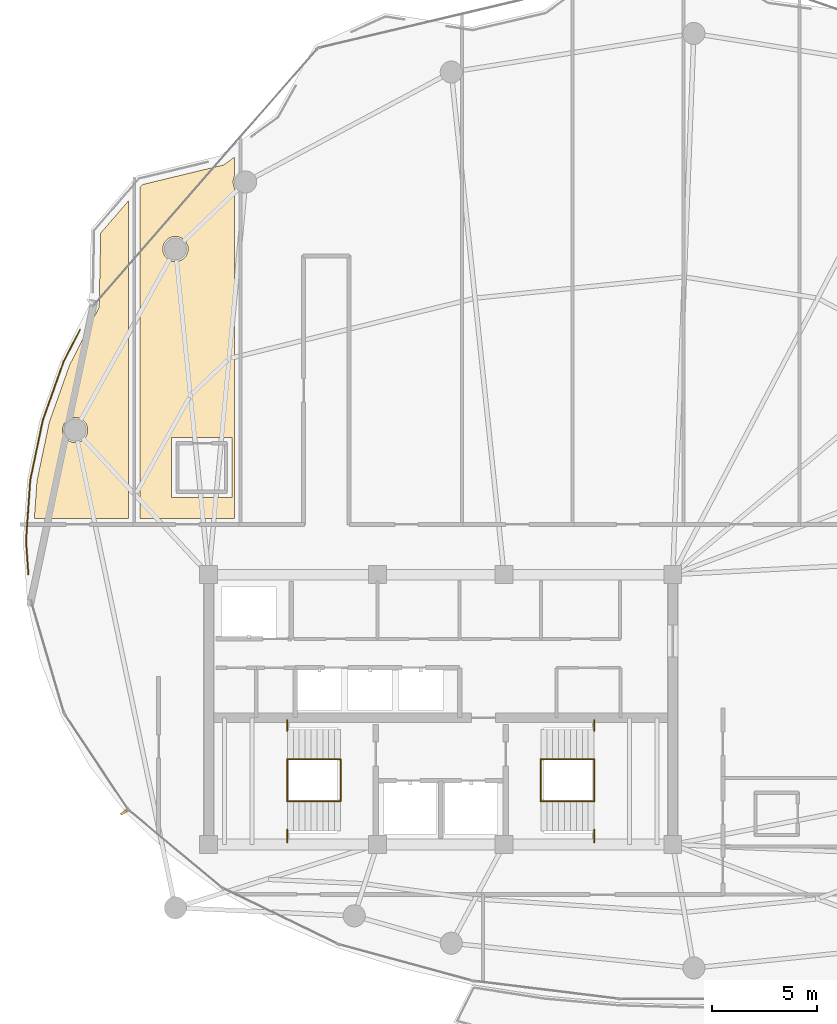
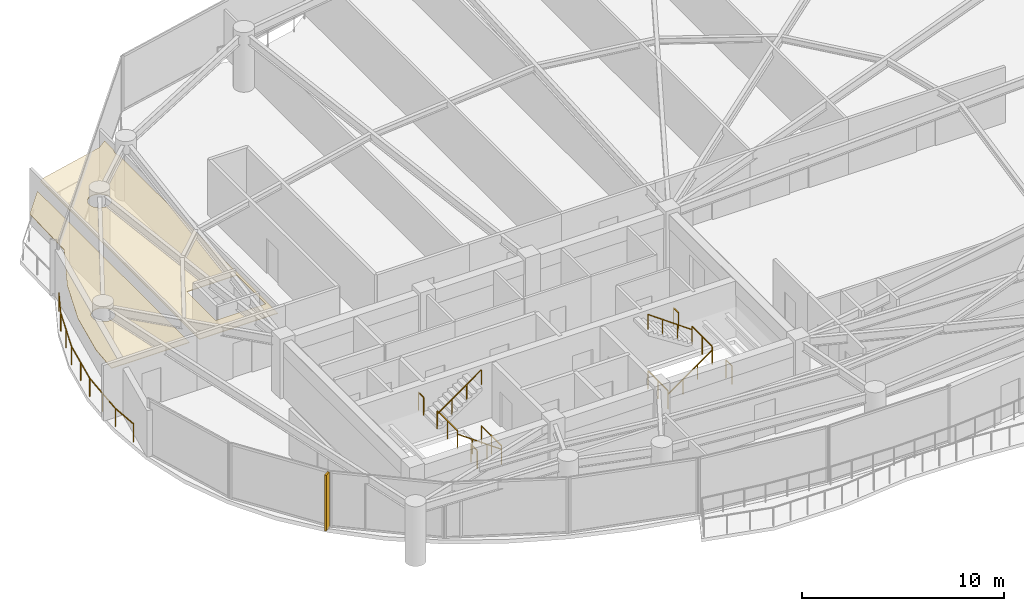
# One storey, part 27 of 29: 13 railings, 2 coverings, 1 shading device.
"""IFC4 building model written with IfcOpenShell, lengths in metres."""

from ifc_helpers import new_model, si_unit, direction, frame, origin, origin_2d, place, context, subcontext, project, spatial, polyline, rectangle, outline, extrude, material, layer, layer_set, type_object, element, save


model = new_model("IFC4")

# Units and contexts
model_context = context("Model", 3, precision=1e-05, world=origin(), true_north=direction((0.0, 1.0)))
body_context = subcontext(model_context, "Body", "Model", "MODEL_VIEW")
ifc_project = project(units=[si_unit("LENGTHUNIT", "METRE"), si_unit("AREAUNIT", "SQUARE_METRE"), si_unit("VOLUMEUNIT", "CUBIC_METRE"), si_unit("PLANEANGLEUNIT", "RADIAN"), si_unit("MASSUNIT", "GRAM", prefix="KILO")], contexts=[model_context])

# Site, building, storey
site_placement = place(None, origin())
site = spatial("IfcSite", under=ifc_project, at=site_placement, CompositionType="ELEMENT")
building_placement = place(site_placement, origin())
building = spatial("IfcBuilding", under=site, at=building_placement, Name="Kazevale Care Tower and Concert Hall", CompositionType="ELEMENT")
storey_placement = place(building_placement, frame((0.0, 0.0, 213.60009765625)))
storey = spatial("IfcBuildingStorey", under=building, at=storey_placement, Name="L56", CompositionType="ELEMENT", Elevation=213.60009765625)

# Coverings
ifc_material_1 = material(Name="Acoustic Plaster and Hinoki Wood", Category="wood")
ifc_layer = layer(ifc_material_1, 0.0400390625)
ifc_layer_set = layer_set([ifc_layer], Name="Acoustic Plaster and Hinoki Wood")
covering_type = type_object("IfcCoveringType", Name="Acoustic Perforated Wood-Gypsum Ceiling", PredefinedType="CEILING", material=ifc_layer_set)
covering_1_placement = place(storey_placement, frame((0.0, 0.0, 2.7099609375)))
element("IfcCovering", 1, at=covering_1_placement, inside=storey, type_object=covering_type, Name="clg:L56:1", PredefinedType="CEILING", context=body_context, shape_type="SweptSolid", body=[
    extrude(outline(polyline([(15.407958984375, 46.339111328125), (16.806884765625, 49.0791015625), (16.8798828125, 52.589111328125), (18.18994140625, 54.10693359375), (18.18994140625, 39.054931640625), (13.73388671875, 39.054931640625), (13.85693359375, 40.824951171875), (14.44091796875, 43.615966796875), (15.407958984375, 46.339111328125)]), holes=[polyline([(16.262939453125, 43.367919921875), (16.173095703125, 43.5859375), (16.006103515625, 43.7529296875), (15.7880859375, 43.843017578125), (15.552001953125, 43.843017578125), (15.333984375, 43.7529296875), (15.1669921875, 43.5859375), (15.076904296875, 43.367919921875), (15.076904296875, 43.132080078125), (15.1669921875, 42.9140625), (15.333984375, 42.7470703125), (15.552001953125, 42.656982421875), (15.7880859375, 42.656982421875), (16.006103515625, 42.7470703125), (16.173095703125, 42.9140625), (16.262939453125, 43.132080078125), (16.262939453125, 43.367919921875)])]), origin(), (0.0, 0.0, 1.0), 0.0400390625),
])
covering_2_placement = place(storey_placement, frame((0.0, 0.0, 2.7099609375)))
element("IfcCovering", 2, at=covering_2_placement, inside=storey, type_object=covering_type, Name="clg:L56:2", PredefinedType="CEILING", context=body_context, shape_type="SweptSolid", body=[
    extrude(outline(polyline([(18.75, 54.756103515625), (18.864990234375, 54.888916015625), (22.7099609375, 55.818115234375), (23.219970703125, 56.18701171875), (23.219970703125, 55.2958984375), (23.14501953125, 55.010009765625), (23.219970703125, 54.72412109375), (23.219970703125, 39.054931640625), (18.75, 39.054931640625), (18.75, 54.756103515625)]), holes=[polyline([(20.239990234375, 40.044921875), (23.10009765625, 40.044921875), (23.10009765625, 42.905029296875), (20.239990234375, 42.905029296875), (20.239990234375, 40.044921875)]), polyline([(21.012939453125, 51.947998046875), (20.923095703125, 52.166015625), (20.756103515625, 52.3330078125), (20.5380859375, 52.423095703125), (20.302001953125, 52.423095703125), (20.083984375, 52.3330078125), (19.9169921875, 52.166015625), (19.826904296875, 51.947998046875), (19.826904296875, 51.7119140625), (19.9169921875, 51.493896484375), (20.083984375, 51.326904296875), (20.302001953125, 51.237060546875), (20.5380859375, 51.237060546875), (20.756103515625, 51.326904296875), (20.923095703125, 51.493896484375), (21.012939453125, 51.7119140625), (21.012939453125, 51.947998046875)])]), origin(), (0.0, 0.0, 1.0), 0.0400390625),
])

# Railings
ifc_material_2 = material(Name="Anodised Bronze Aluminium and Laminated Glass", Category="aluminium")
railing_type_1 = type_object("IfcRailingType", Name="Balcony and Terrace Balustrade 1120", PredefinedType="BALUSTRADE", material=ifc_material_2)
railing_1_placement = place(storey_placement, frame((13.451904296875, 36.39892578125, 0.0)))
element("IfcRailing", 3, at=railing_1_placement, inside=storey, type_object=railing_type_1, Name="rail:L56:perim:1", PredefinedType="BALUSTRADE", context=body_context, shape_type="SweptSolid", body=[
    extrude(rectangle(XDim=0.048095703125, YDim=0.048095703125, at=origin_2d()), frame((0.0, 0.0, 1.09619140625), z_axis=(-0.069668671127, 0.997570186134, 0.0), x_axis=(-0.997570186134, -0.069668671127, 0.0)), (0.0, 0.0, 1.0), 1.60498046875),
    extrude(rectangle(XDim=0.048095703125, YDim=0.048095703125, at=origin_2d()), frame((-0.11181640625, 1.60107421875, 1.09619140625), z_axis=(0.069189590327, 0.997603528758, 0.0), x_axis=(-0.997603528758, 0.069189590327, 0.0)), (0.0, 0.0, 1.0), 2.875732421875),
    extrude(rectangle(XDim=0.048095703125, YDim=0.048095703125, at=origin_2d()), frame((0.087158203125, 4.469970703125, 1.09619140625), z_axis=(0.204816187417, 0.978800454317, 0.0), x_axis=(-0.978800454317, 0.204816187417, 0.0)), (0.0, 0.0, 1.0), 2.895263671875),
    extrude(rectangle(XDim=0.048095703125, YDim=0.048095703125, at=origin_2d()), frame((0.68017578125, 7.303955078125, 1.09619140625), z_axis=(0.334552974602, 0.942376945381, 0.0), x_axis=(-0.942376945381, 0.334552974602, 0.0)), (0.0, 0.0, 1.0), 2.93212890625),
    extrude(rectangle(XDim=0.048095703125, YDim=0.048095703125, at=origin_2d()), frame((1.6611328125, 10.067138671875, 1.09619140625), z_axis=(0.455056261721, 0.890462687971, 0.0), x_axis=(-0.890462687971, 0.455056261721, 0.0)), (0.0, 0.0, 1.0), 1.72705078125),
    extrude(rectangle(XDim=0.0419921875, YDim=0.0419921875, at=origin_2d()), origin(), (0.0, 0.0, 1.0), 1.072021484375),
    extrude(rectangle(XDim=0.0419921875, YDim=0.0419921875, at=origin_2d()), frame((-0.11181640625, 1.60107421875, 0.0)), (0.0, 0.0, 1.0), 1.072021484375),
    extrude(rectangle(XDim=0.0419921875, YDim=0.0419921875, at=origin_2d()), frame((-0.01220703125, 3.03564453125, 0.0)), (0.0, 0.0, 1.0), 1.072021484375),
    extrude(rectangle(XDim=0.0419921875, YDim=0.0419921875, at=origin_2d()), frame((0.087158203125, 4.469970703125, 0.0)), (0.0, 0.0, 1.0), 1.072021484375),
    extrude(rectangle(XDim=0.0419921875, YDim=0.0419921875, at=origin_2d()), frame((0.3837890625, 5.886962890625, 0.0)), (0.0, 0.0, 1.0), 1.072021484375),
    extrude(rectangle(XDim=0.0419921875, YDim=0.0419921875, at=origin_2d()), frame((0.68017578125, 7.303955078125, 0.0)), (0.0, 0.0, 1.0), 1.072021484375),
    extrude(rectangle(XDim=0.0419921875, YDim=0.0419921875, at=origin_2d()), frame((1.170654296875, 8.685546875, 0.0)), (0.0, 0.0, 1.0), 1.072021484375),
    extrude(rectangle(XDim=0.0419921875, YDim=0.0419921875, at=origin_2d()), frame((1.6611328125, 10.067138671875, 0.0)), (0.0, 0.0, 1.0), 1.072021484375),
    extrude(rectangle(XDim=0.0419921875, YDim=0.0419921875, at=origin_2d()), frame((2.447021484375, 11.60498046875, 0.0)), (0.0, 0.0, 1.0), 1.072021484375),
])
ifc_material_3 = material(Name="Stainless Steel 316", Category="steel")
railing_type_2 = type_object("IfcRailingType", Name="Stair Pitch Handrail 920", PredefinedType="HANDRAIL", material=ifc_material_3)
railing_2_placement = place(storey_placement, frame((28.25, 25.64990234375, 0.0)))
element("IfcRailing", 4, at=railing_2_placement, inside=storey, type_object=railing_type_2, Name="stair:L56:ST1:hr1", PredefinedType="HANDRAIL", context=body_context, shape_type="SweptSolid", body=[
    extrude(rectangle(XDim=0.048095703125, YDim=0.048095703125, at=origin_2d()), frame((0.0, 0.0, 0.89599609375), z_axis=(-0.813765431312, 0.0, 0.581193446971), x_axis=(0.0, -1.0, 0.0)), (0.0, 0.0, 1.0), 3.0966796875),
    extrude(rectangle(XDim=0.0419921875, YDim=0.0419921875, at=origin_2d()), origin(), (0.0, 0.0, 1.0), 0.871826171875),
    extrude(rectangle(XDim=0.0419921875, YDim=0.0419921875, at=origin_2d()), frame((-0.840087890625, 0.0, 0.599853515625)), (0.0, 0.0, 1.0), 0.871826171875),
    extrude(rectangle(XDim=0.0419921875, YDim=0.0419921875, at=origin_2d()), frame((-1.679931640625, 0.0, 1.199951171875)), (0.0, 0.0, 1.0), 0.871826171875),
    extrude(rectangle(XDim=0.0419921875, YDim=0.0419921875, at=origin_2d()), frame((-2.52001953125, 0.0, 1.7998046875)), (0.0, 0.0, 1.0), 0.871826171875),
])
railing_3_placement = place(storey_placement, frame((25.72998046875, 27.64990234375, 1.7998046875)))
element("IfcRailing", 5, at=railing_3_placement, inside=storey, type_object=railing_type_2, Name="stair:L56:ST1:hr2", PredefinedType="HANDRAIL", context=body_context, shape_type="SweptSolid", body=[
    extrude(rectangle(XDim=0.048095703125, YDim=0.048095703125, at=origin_2d()), frame((0.0, 0.0, 0.89599609375), z_axis=(0.813728144527, 0.0, 0.581245650998), x_axis=(0.0, 1.0, 0.0)), (0.0, 0.0, 1.0), 3.096923828125),
    extrude(rectangle(XDim=0.0419921875, YDim=0.0419921875, at=origin_2d()), origin(), (0.0, 0.0, 1.0), 0.871826171875),
    extrude(rectangle(XDim=0.0419921875, YDim=0.0419921875, at=origin_2d()), frame((0.840087890625, 0.0, 0.60009765625)), (0.0, 0.0, 1.0), 0.871826171875),
    extrude(rectangle(XDim=0.0419921875, YDim=0.0419921875, at=origin_2d()), frame((1.679931640625, 0.0, 1.199951171875)), (0.0, 0.0, 1.0), 0.871826171875),
    extrude(rectangle(XDim=0.0419921875, YDim=0.0419921875, at=origin_2d()), frame((2.52001953125, 0.0, 1.800048828125)), (0.0, 0.0, 1.0), 0.871826171875),
])
railing_4_placement = place(storey_placement, frame((37.75, 25.64990234375, 0.0)))
element("IfcRailing", 6, at=railing_4_placement, inside=storey, type_object=railing_type_2, Name="stair:L56:ST2:hr1", PredefinedType="HANDRAIL", context=body_context, shape_type="SweptSolid", body=[
    extrude(rectangle(XDim=0.048095703125, YDim=0.048095703125, at=origin_2d()), frame((0.0, 0.0, 0.89599609375), z_axis=(0.813765431312, 0.0, 0.581193446971), x_axis=(0.0, 1.0, 0.0)), (0.0, 0.0, 1.0), 3.0966796875),
    extrude(rectangle(XDim=0.0419921875, YDim=0.0419921875, at=origin_2d()), origin(), (0.0, 0.0, 1.0), 0.871826171875),
    extrude(rectangle(XDim=0.0419921875, YDim=0.0419921875, at=origin_2d()), frame((0.840087890625, 0.0, 0.599853515625)), (0.0, 0.0, 1.0), 0.871826171875),
    extrude(rectangle(XDim=0.0419921875, YDim=0.0419921875, at=origin_2d()), frame((1.679931640625, 0.0, 1.199951171875)), (0.0, 0.0, 1.0), 0.871826171875),
    extrude(rectangle(XDim=0.0419921875, YDim=0.0419921875, at=origin_2d()), frame((2.52001953125, 0.0, 1.7998046875)), (0.0, 0.0, 1.0), 0.871826171875),
])
railing_5_placement = place(storey_placement, frame((40.27001953125, 27.64990234375, 1.7998046875)))
element("IfcRailing", 7, at=railing_5_placement, inside=storey, type_object=railing_type_2, Name="stair:L56:ST2:hr2", PredefinedType="HANDRAIL", context=body_context, shape_type="SweptSolid", body=[
    extrude(rectangle(XDim=0.048095703125, YDim=0.048095703125, at=origin_2d()), frame((0.0, 0.0, 0.89599609375), z_axis=(-0.813728144527, 0.0, 0.581245650998), x_axis=(0.0, -1.0, 0.0)), (0.0, 0.0, 1.0), 3.096923828125),
    extrude(rectangle(XDim=0.0419921875, YDim=0.0419921875, at=origin_2d()), origin(), (0.0, 0.0, 1.0), 0.871826171875),
    extrude(rectangle(XDim=0.0419921875, YDim=0.0419921875, at=origin_2d()), frame((-0.840087890625, 0.0, 0.60009765625)), (0.0, 0.0, 1.0), 0.871826171875),
    extrude(rectangle(XDim=0.0419921875, YDim=0.0419921875, at=origin_2d()), frame((-1.679931640625, 0.0, 1.199951171875)), (0.0, 0.0, 1.0), 0.871826171875),
    extrude(rectangle(XDim=0.0419921875, YDim=0.0419921875, at=origin_2d()), frame((-2.52001953125, 0.0, 1.800048828125)), (0.0, 0.0, 1.0), 0.871826171875),
])
railing_type_3 = type_object("IfcRailingType", Name="Stair Well Guard Balustrade 1120", PredefinedType="BALUSTRADE", material=ifc_material_3)
railing_6_placement = place(storey_placement, frame((25.72998046875, 23.699951171875, 1.7998046875)))
element("IfcRailing", 8, at=railing_6_placement, inside=storey, type_object=railing_type_3, Name="stair:L56:ST1:grd_side1", PredefinedType="BALUSTRADE", context=body_context, shape_type="SweptSolid", body=[
    extrude(rectangle(XDim=0.048095703125, YDim=0.048095703125, at=origin_2d()), frame((0.0, 0.0, 1.09619140625), z_axis=(0.0, 1.0, 0.0), x_axis=(-1.0, 0.0, 0.0)), (0.0, 0.0, 1.0), 0.610107421875),
    extrude(rectangle(XDim=0.0419921875, YDim=0.0419921875, at=origin_2d()), origin(), (0.0, 0.0, 1.0), 1.072021484375),
    extrude(rectangle(XDim=0.0419921875, YDim=0.0419921875, at=origin_2d()), frame((0.0, 0.610107421875, 0.0)), (0.0, 0.0, 1.0), 1.072021484375),
])
railing_7_placement = place(storey_placement, frame((25.72998046875, 28.989990234375, 1.7998046875)))
element("IfcRailing", 9, at=railing_7_placement, inside=storey, type_object=railing_type_3, Name="stair:L56:ST1:grd_side2", PredefinedType="BALUSTRADE", context=body_context, shape_type="SweptSolid", body=[
    extrude(rectangle(XDim=0.048095703125, YDim=0.048095703125, at=origin_2d()), frame((0.0, 0.0, 1.09619140625), z_axis=(0.0, 1.0, 0.0), x_axis=(-1.0, 0.0, 0.0)), (0.0, 0.0, 1.0), 0.510009765625),
    extrude(rectangle(XDim=0.0419921875, YDim=0.0419921875, at=origin_2d()), origin(), (0.0, 0.0, 1.0), 1.072021484375),
    extrude(rectangle(XDim=0.0419921875, YDim=0.0419921875, at=origin_2d()), frame((0.0, 0.510009765625, 0.0)), (0.0, 0.0, 1.0), 1.072021484375),
])
for number, where, name in (
    (10, (25.72998046875, 25.64990234375, 1.7998046875), "stair:L56:ST1:grd_mid"),
    (11, (28.25, 25.64990234375, 0.0), "stair:L56:ST1:grd_flr"),
):
    element("IfcRailing", number, at=place(storey_placement, frame(where)), inside=storey, type_object=railing_type_3, Name=name, PredefinedType="BALUSTRADE", context=body_context, shape_type="SweptSolid", body=[
        extrude(rectangle(XDim=0.048095703125, YDim=0.048095703125, at=origin_2d()), frame((0.0, 0.0, 1.09619140625), z_axis=(0.0, 1.0, 0.0), x_axis=(-1.0, 0.0, 0.0)), (0.0, 0.0, 1.0), 2.0),
        extrude(rectangle(XDim=0.0419921875, YDim=0.0419921875, at=origin_2d()), origin(), (0.0, 0.0, 1.0), 1.072021484375),
        extrude(rectangle(XDim=0.0419921875, YDim=0.0419921875, at=origin_2d()), frame((0.0, 1.0, 0.0)), (0.0, 0.0, 1.0), 1.072021484375),
        extrude(rectangle(XDim=0.0419921875, YDim=0.0419921875, at=origin_2d()), frame((0.0, 2.0, 0.0)), (0.0, 0.0, 1.0), 1.072021484375),
    ])
railing_8_placement = place(storey_placement, frame((40.27001953125, 23.699951171875, 1.7998046875)))
element("IfcRailing", 12, at=railing_8_placement, inside=storey, type_object=railing_type_3, Name="stair:L56:ST2:grd_side1", PredefinedType="BALUSTRADE", context=body_context, shape_type="SweptSolid", body=[
    extrude(rectangle(XDim=0.048095703125, YDim=0.048095703125, at=origin_2d()), frame((0.0, 0.0, 1.09619140625), z_axis=(0.0, 1.0, 0.0), x_axis=(-1.0, 0.0, 0.0)), (0.0, 0.0, 1.0), 0.610107421875),
    extrude(rectangle(XDim=0.0419921875, YDim=0.0419921875, at=origin_2d()), origin(), (0.0, 0.0, 1.0), 1.072021484375),
    extrude(rectangle(XDim=0.0419921875, YDim=0.0419921875, at=origin_2d()), frame((0.0, 0.610107421875, 0.0)), (0.0, 0.0, 1.0), 1.072021484375),
])
railing_9_placement = place(storey_placement, frame((40.27001953125, 28.989990234375, 1.7998046875)))
element("IfcRailing", 13, at=railing_9_placement, inside=storey, type_object=railing_type_3, Name="stair:L56:ST2:grd_side2", PredefinedType="BALUSTRADE", context=body_context, shape_type="SweptSolid", body=[
    extrude(rectangle(XDim=0.048095703125, YDim=0.048095703125, at=origin_2d()), frame((0.0, 0.0, 1.09619140625), z_axis=(0.0, 1.0, 0.0), x_axis=(-1.0, 0.0, 0.0)), (0.0, 0.0, 1.0), 0.510009765625),
    extrude(rectangle(XDim=0.0419921875, YDim=0.0419921875, at=origin_2d()), origin(), (0.0, 0.0, 1.0), 1.072021484375),
    extrude(rectangle(XDim=0.0419921875, YDim=0.0419921875, at=origin_2d()), frame((0.0, 0.510009765625, 0.0)), (0.0, 0.0, 1.0), 1.072021484375),
])
for number, where, name in (
    (14, (40.27001953125, 25.64990234375, 1.7998046875), "stair:L56:ST2:grd_mid"),
    (15, (37.75, 25.64990234375, 0.0), "stair:L56:ST2:grd_flr"),
):
    element("IfcRailing", number, at=place(storey_placement, frame(where)), inside=storey, type_object=railing_type_3, Name=name, PredefinedType="BALUSTRADE", context=body_context, shape_type="SweptSolid", body=[
        extrude(rectangle(XDim=0.048095703125, YDim=0.048095703125, at=origin_2d()), frame((0.0, 0.0, 1.09619140625), z_axis=(0.0, 1.0, 0.0), x_axis=(-1.0, 0.0, 0.0)), (0.0, 0.0, 1.0), 2.0),
        extrude(rectangle(XDim=0.0419921875, YDim=0.0419921875, at=origin_2d()), origin(), (0.0, 0.0, 1.0), 1.072021484375),
        extrude(rectangle(XDim=0.0419921875, YDim=0.0419921875, at=origin_2d()), frame((0.0, 1.0, 0.0)), (0.0, 0.0, 1.0), 1.072021484375),
        extrude(rectangle(XDim=0.0419921875, YDim=0.0419921875, at=origin_2d()), frame((0.0, 2.0, 0.0)), (0.0, 0.0, 1.0), 1.072021484375),
    ])

# Shading device
ifc_material_4 = material(Name="Anodised Bronze Aluminium", Category="aluminium")
shading_device_type = type_object("IfcShadingDeviceType", Name="Waist Anodised Bronze-Stone Fin FIN-02", PredefinedType="USERDEFINED", material=ifc_material_4)
shading_device_placement = place(storey_placement, frame((17.972900390625, 25.121337890625, 0.0), z_axis=(0.0, 0.0, 1.0), x_axis=(-0.832147748683, -0.554553986878, 0.0)))
element("IfcShadingDevice", 16, at=shading_device_placement, inside=storey, type_object=shading_device_type, Name="cw:L56:f11:fin", ObjectType="FIN", PredefinedType="USERDEFINED", context=body_context, shape_type="SweptSolid", body=[
    extrude(rectangle(XDim=0.340087890625, YDim=0.10009765625, at=origin_2d()), origin(), (0.0, 0.0, 1.0), 3.360107421875),
])

save(model, "model.ifc")
